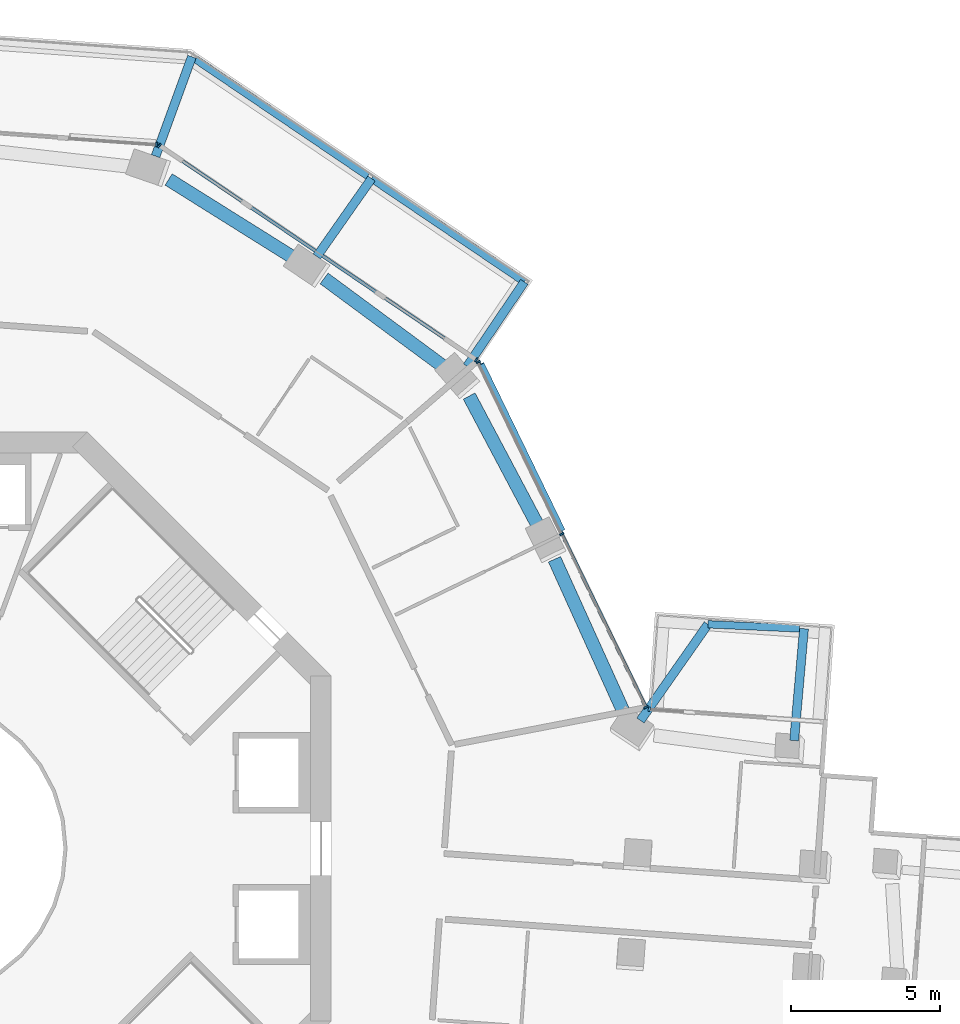
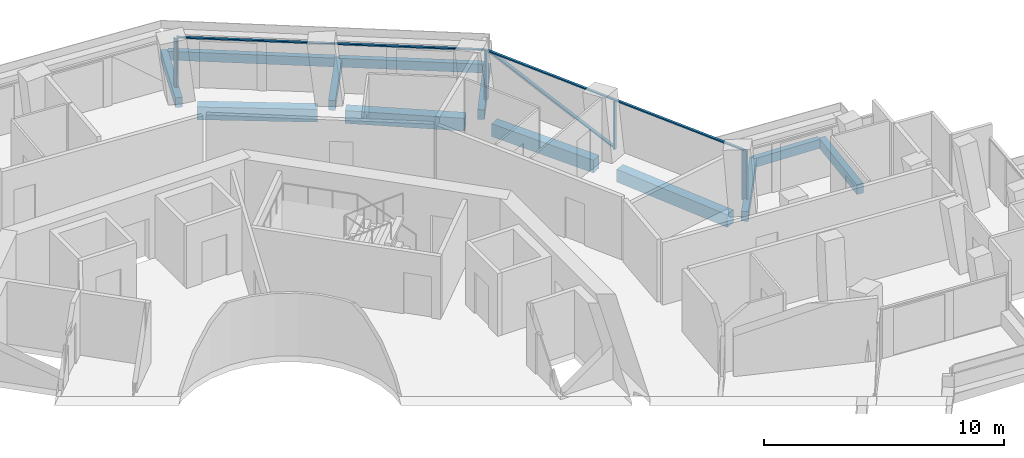
# One storey, part 8 of 22: 12 beams, 10 members, 4 elements without a shape of their own.
"""IFC4 building model written with IfcOpenShell, lengths in metres."""

from ifc_helpers import new_model, si_unit, direction, frame, origin, origin_2d, place, context, subcontext, project, spatial, rectangle, extrude, material, layer, layer_set, material_profile, profile_set, type_object, element, aggregate, save


model = new_model("IFC4")

# Units and contexts
model_context = context("Model", 3, precision=1e-05, world=origin(), true_north=direction((0.0, 1.0)))
body_context = subcontext(model_context, "Body", "Model", "MODEL_VIEW")
ifc_project = project(units=[si_unit("LENGTHUNIT", "METRE"), si_unit("AREAUNIT", "SQUARE_METRE"), si_unit("VOLUMEUNIT", "CUBIC_METRE"), si_unit("PLANEANGLEUNIT", "RADIAN"), si_unit("MASSUNIT", "GRAM", prefix="KILO")], contexts=[model_context])

# Site, building, storey
site_placement = place(None, origin())
site = spatial("IfcSite", under=ifc_project, at=site_placement, CompositionType="ELEMENT")
building_placement = place(site_placement, origin())
building = spatial("IfcBuilding", under=site, at=building_placement, Name="Verdalira Terraces Hotel", CompositionType="ELEMENT")
storey_placement = place(building_placement, frame((0.0, 0.0, 140.0)))
storey = spatial("IfcBuildingStorey", under=building, at=storey_placement, Name="L33", CompositionType="ELEMENT", Elevation=140.0)

# Beams
ifc_material_1 = material(Name="Concrete C40", Category="concrete")
ifc_material_profile_1 = material_profile(ifc_material_1, rectangle(XDim=0.300049, YDim=0.5, at=origin_2d()), Name="RC 300X500")
ifc_profile_set_1 = profile_set([ifc_material_profile_1], Name="Concrete C40")
beam_type_1 = type_object("IfcBeamType", Name="Balcony cantilever beam RC 300X500 C40", PredefinedType="BEAM", material=ifc_profile_set_1)
beam_1_placement = place(storey_placement, frame((29.558594, 3.63208, -0.560059), z_axis=(0.087835293, 0.996135012, 0.0), x_axis=(-0.996135012, 0.087835293, 0.0)))
element("IfcBeam", 1, at=beam_1_placement, inside=storey, type_object=beam_type_1, Name="Balcony cantilever beam R38-1", PredefinedType="BEAM", context=body_context, shape_type="SweptSolid", body=[
    extrude(rectangle(XDim=0.300049, YDim=0.5, at=origin_2d()), origin(), (0.0, 0.0, 1.0), 3.774658),
])
beam_2_placement = place(storey_placement, frame((24.392578, 4.305908, -0.560059), z_axis=(0.574171439, 0.818735097, 0.0), x_axis=(-0.818735097, 0.574171439, 0.0)))
element("IfcBeam", 2, at=beam_2_placement, inside=storey, type_object=beam_type_1, Name="Balcony cantilever beam R38-2", PredefinedType="BEAM", context=body_context, shape_type="SweptSolid", body=[
    extrude(rectangle(XDim=0.300049, YDim=0.5, at=origin_2d()), origin(), (0.0, 0.0, 1.0), 3.950195),
])
beam_3_placement = place(storey_placement, frame((18.566162, 16.206543, -0.560059), z_axis=(0.560335208, 0.828265933, 0.0), x_axis=(-0.828265933, 0.560335208, 0.0)))
element("IfcBeam", 3, at=beam_3_placement, inside=storey, type_object=beam_type_1, Name="Balcony cantilever beam R40-1", PredefinedType="BEAM", context=body_context, shape_type="SweptSolid", body=[
    extrude(rectangle(XDim=0.300049, YDim=0.5, at=origin_2d()), origin(), (0.0, 0.0, 1.0), 3.431641),
])
beam_4_placement = place(storey_placement, frame((13.516113, 19.902344, -0.560059), z_axis=(0.574189023, 0.818722765, 0.0), x_axis=(-0.818722765, 0.574189023, 0.0)))
element("IfcBeam", 4, at=beam_4_placement, inside=storey, type_object=beam_type_1, Name="Balcony cantilever beam R40-2", PredefinedType="BEAM", context=body_context, shape_type="SweptSolid", body=[
    extrude(rectangle(XDim=0.300049, YDim=0.5, at=origin_2d()), origin(), (0.0, 0.0, 1.0), 3.200928),
])
beam_5_placement = place(storey_placement, frame((8.096191, 23.274414, -0.560059), z_axis=(0.342729415, 0.939434164, 0.0), x_axis=(-0.939434164, 0.342729415, 0.0)))
element("IfcBeam", 5, at=beam_5_placement, inside=storey, type_object=beam_type_1, Name="Balcony cantilever beam R40-3", PredefinedType="BEAM", context=body_context, shape_type="SweptSolid", body=[
    extrude(rectangle(XDim=0.300049, YDim=0.5, at=origin_2d()), origin(), (0.0, 0.0, 1.0), 3.556641),
])
ifc_material_2 = material(Name="Concrete C40", Category="concrete")
ifc_material_profile_2 = material_profile(ifc_material_2, rectangle(XDim=0.25, YDim=0.449951, at=origin_2d()), Name="RC 250X450")
ifc_profile_set_2 = profile_set([ifc_material_profile_2], Name="Concrete C40")
beam_type_2 = type_object("IfcBeamType", Name="Balcony edge beam RC 250X450 C40", PredefinedType="BEAM", material=ifc_profile_set_2)
beam_6_placement = place(storey_placement, frame((29.73999, 7.398926, -0.534912), z_axis=(-0.998951652, 0.045777694, 0.0), x_axis=(-0.045777694, -0.998951652, 0.0)))
element("IfcBeam", 6, at=beam_6_placement, inside=storey, type_object=beam_type_2, Name="Balcony edge beam R38-1", PredefinedType="BEAM", context=body_context, shape_type="SweptSolid", body=[
    extrude(rectangle(XDim=0.25, YDim=0.449951, at=origin_2d()), origin(), (0.0, 0.0, 1.0), 3.08252),
])
beam_7_placement = place(storey_placement, frame((20.489014, 19.048828, -0.534912), z_axis=(-0.828250623, 0.560357836, 0.0), x_axis=(-0.560357836, -0.828250623, 0.0)))
element("IfcBeam", 7, at=beam_7_placement, inside=storey, type_object=beam_type_2, Name="Balcony edge beam R40-1", PredefinedType="BEAM", context=body_context, shape_type="SweptSolid", body=[
    extrude(rectangle(XDim=0.25, YDim=0.449951, at=origin_2d()), origin(), (0.0, 0.0, 1.0), 6.199707),
])
beam_8_placement = place(storey_placement, frame((15.229736, 22.607178, -0.534912), z_axis=(-0.827808292, 0.561011079, 0.0), x_axis=(-0.561011079, -0.827808292, 0.0)))
element("IfcBeam", 8, at=beam_8_placement, inside=storey, type_object=beam_type_2, Name="Balcony edge beam R40-2", PredefinedType="BEAM", context=body_context, shape_type="SweptSolid", body=[
    extrude(rectangle(XDim=0.25, YDim=0.449951, at=origin_2d()), origin(), (0.0, 0.0, 1.0), 6.990234),
])

# Curtain wall, members
ifc_material_3 = material(Name="Clear glass", Category="glass")
ifc_layer_1 = layer(ifc_material_3, 0.14990234375)
ifc_layer_set_1 = layer_set([ifc_layer_1], Name="CW1 curtain wall")
curtain_wall_type_1 = type_object("IfcCurtainWallType", Name="CW1 curtain wall", PredefinedType="NOTDEFINED", material=ifc_layer_set_1)
curtain_wall_1_placement = place(storey_placement, origin())
curtain_wall_1 = element("IfcCurtainWall", 9, at=curtain_wall_1_placement, inside=storey, type_object=curtain_wall_type_1, Name="CW1 curtain wall L33 edge 39", PredefinedType="NOTDEFINED")
ifc_material_4 = material(Name="Terracotta frame", Category="masonry")
ifc_material_profile_3 = material_profile(ifc_material_4, rectangle(XDim=0.060059, YDim=0.149902, at=origin_2d()), Name="MU 60x150")
ifc_profile_set_3 = profile_set([ifc_material_profile_3], Name="Terracotta frame")
member_type_1 = type_object("IfcMemberType", Name="CW1 mullion 60x150", PredefinedType="MULLION", material=ifc_profile_set_3)
member_1_placement = place(storey_placement, frame((24.578857, 4.751709, 0.0), z_axis=(0.0, 0.0, 1.0), x_axis=(-0.437115767, 0.899405252, 0.0)))
member_1 = element("IfcMember", 10, at=member_1_placement, type_object=member_type_1, Name="CW1 mullion", PredefinedType="MULLION", context=body_context, shape_type="SweptSolid", body=[
    extrude(rectangle(XDim=0.060059, YDim=0.149902, at=origin_2d()), origin(), (0.0, 0.0, 1.0), 2.475098),
])
member_2_placement = place(storey_placement, frame((21.750732, 10.570801, 0.0), z_axis=(0.0, 0.0, 1.0), x_axis=(-0.437115767, 0.899405252, 0.0)))
member_2 = element("IfcMember", 11, at=member_2_placement, type_object=member_type_1, Name="CW1 mullion", PredefinedType="MULLION", context=body_context, shape_type="SweptSolid", body=[
    extrude(rectangle(XDim=0.060059, YDim=0.149902, at=origin_2d()), origin(), (0.0, 0.0, 1.0), 2.475098),
])
member_3_placement = place(storey_placement, frame((18.939941, 16.354004, 0.0), z_axis=(0.0, 0.0, 1.0), x_axis=(-0.437115767, 0.899405252, 0.0)))
member_3 = element("IfcMember", 12, at=member_3_placement, type_object=member_type_1, Name="CW1 mullion", PredefinedType="MULLION", context=body_context, shape_type="SweptSolid", body=[
    extrude(rectangle(XDim=0.060059, YDim=0.149902, at=origin_2d()), origin(), (0.0, 0.0, 1.0), 2.475098),
])

curtain_wall_2_placement = place(storey_placement, origin())
curtain_wall_2 = element("IfcCurtainWall", 13, at=curtain_wall_2_placement, inside=storey, type_object=curtain_wall_type_1, Name="CW1 curtain wall L33 edge 40", PredefinedType="NOTDEFINED")
member_4_placement = place(storey_placement, frame((18.876709, 16.427002, 0.0), z_axis=(0.0, 0.0, 1.0), x_axis=(-0.828255984, 0.560349913, 0.0)))
member_4 = element("IfcMember", 14, at=member_4_placement, type_object=member_type_1, Name="CW1 mullion", PredefinedType="MULLION", context=body_context, shape_type="SweptSolid", body=[
    extrude(rectangle(XDim=0.060059, YDim=0.149902, at=origin_2d()), origin(), (0.0, 0.0, 1.0), 2.475098),
])
member_5_placement = place(storey_placement, frame((8.225586, 23.632812, 0.0), z_axis=(0.0, 0.0, 1.0), x_axis=(-0.828255984, 0.560349913, 0.0)))
member_5 = element("IfcMember", 15, at=member_5_placement, type_object=member_type_1, Name="CW1 mullion", PredefinedType="MULLION", context=body_context, shape_type="SweptSolid", body=[
    extrude(rectangle(XDim=0.060059, YDim=0.149902, at=origin_2d()), origin(), (0.0, 0.0, 1.0), 2.475098),
])

# Curtain wall, member
curtain_wall_3_placement = place(storey_placement, origin())
curtain_wall_3 = element("IfcCurtainWall", 16, at=curtain_wall_3_placement, inside=storey, type_object=curtain_wall_type_1, Name="CW1 curtain wall L33 edge 41", PredefinedType="NOTDEFINED")
member_6_placement = place(storey_placement, frame((8.134033, 23.664551, 0.0), z_axis=(0.0, 0.0, 1.0), x_axis=(-0.997465679, 0.071149267, 0.0)))
member_6 = element("IfcMember", 17, at=member_6_placement, type_object=member_type_1, Name="CW1 mullion", PredefinedType="MULLION", context=body_context, shape_type="SweptSolid", body=[
    extrude(rectangle(XDim=0.060059, YDim=0.149902, at=origin_2d()), origin(), (0.0, 0.0, 1.0), 2.475098),
])
aggregate(curtain_wall_3, [member_6])

# Member
ifc_material_5 = material(Name="Terracotta frame", Category="masonry")
ifc_material_profile_4 = material_profile(ifc_material_5, rectangle(XDim=0.110107, YDim=0.064941, at=origin_2d()), Name="TR 65x110")
ifc_profile_set_4 = profile_set([ifc_material_profile_4], Name="Terracotta frame")
member_type_2 = type_object("IfcMemberType", Name="CW1 transom 65x110", PredefinedType="USERDEFINED", material=ifc_profile_set_4)
member_7_placement = place(storey_placement, frame((24.591797, 4.724854, 2.507568), z_axis=(-0.437110379, 0.89940787, 0.0), x_axis=(-0.89940787, -0.437110379, 0.0)))
member_7 = element("IfcMember", 18, at=member_7_placement, type_object=member_type_2, Name="CW1 transom", ObjectType="TRANSOM", PredefinedType="USERDEFINED", context=body_context, shape_type="SweptSolid", body=[
    extrude(rectangle(XDim=0.110107, YDim=0.064941, at=origin_2d()), origin(), (0.0, 0.0, 1.0), 12.959717),
])

member_8_placement = place(storey_placement, frame((18.901611, 16.410156, 2.507568), z_axis=(-0.828260456, 0.560343303, 0.0), x_axis=(-0.560343303, -0.828260456, 0.0)))
member_8 = element("IfcMember", 19, at=member_8_placement, type_object=member_type_2, Name="CW1 transom", ObjectType="TRANSOM", PredefinedType="USERDEFINED", context=body_context, shape_type="SweptSolid", body=[
    extrude(rectangle(XDim=0.110107, YDim=0.064941, at=origin_2d()), origin(), (0.0, 0.0, 1.0), 12.919678),
])

aggregate(curtain_wall_2, [member_4, member_5, member_8])

# Curtain wall, member
ifc_material_6 = material(Name="Clear glass", Category="glass")
ifc_layer_2 = layer(ifc_material_6, 0.14990234375)
ifc_layer_set_2 = layer_set([ifc_layer_2], Name="CW2 curtain wall")
curtain_wall_type_2 = type_object("IfcCurtainWallType", Name="CW2 curtain wall", PredefinedType="NOTDEFINED", material=ifc_layer_set_2)
curtain_wall_4_placement = place(storey_placement, origin())
curtain_wall_4 = element("IfcCurtainWall", 20, at=curtain_wall_4_placement, inside=storey, type_object=curtain_wall_type_2, Name="CW2 curtain wall L33 edge 38", PredefinedType="NOTDEFINED")
ifc_material_7 = material(Name="Terracotta frame", Category="masonry")
ifc_material_profile_5 = material_profile(ifc_material_7, rectangle(XDim=0.070068, YDim=0.149902, at=origin_2d()), Name="MU 70x150")
ifc_profile_set_5 = profile_set([ifc_material_profile_5], Name="Terracotta frame")
member_type_3 = type_object("IfcMemberType", Name="CW2 mullion 70x150", PredefinedType="MULLION", material=ifc_profile_set_5)
member_9_placement = place(storey_placement, frame((24.688965, 4.680176, 0.0), z_axis=(0.0, 0.0, 1.0), x_axis=(-0.997465679, 0.071149267, 0.0)))
member_9 = element("IfcMember", 21, at=member_9_placement, type_object=member_type_3, Name="CW2 mullion", PredefinedType="MULLION", context=body_context, shape_type="SweptSolid", body=[
    extrude(rectangle(XDim=0.070068, YDim=0.149902, at=origin_2d()), origin(), (0.0, 0.0, 1.0), 2.475098),
])
aggregate(curtain_wall_4, [member_9])

# Member
ifc_material_8 = material(Name="Terracotta frame", Category="masonry")
ifc_material_profile_6 = material_profile(ifc_material_8, rectangle(XDim=0.149902, YDim=0.060059, at=origin_2d()), Name="GB 60x150")
ifc_profile_set_6 = profile_set([ifc_material_profile_6], Name="Terracotta frame")
member_type_4 = type_object("IfcMemberType", Name="Diagonal glazing bar 60x150", PredefinedType="USERDEFINED", material=ifc_profile_set_6)
member_10_placement = place(storey_placement, frame((21.785156, 10.703125, 0.028809), z_axis=(-0.407436607, 0.838353851, 0.362157745), x_axis=(-0.899408563, -0.437108952, 0.0)))
member_10 = element("IfcMember", 22, at=member_10_placement, type_object=member_type_4, Name="Diagonal glazing bar", ObjectType="GLAZING BAR", PredefinedType="USERDEFINED", context=body_context, shape_type="SweptSolid", body=[
    extrude(rectangle(XDim=0.149902, YDim=0.060059, at=origin_2d()), origin(), (0.0, 0.0, 1.0), 6.675293),
])

aggregate(curtain_wall_1, [member_1, member_2, member_3, member_7, member_10])

# Beams
ifc_material_9 = material(Name="Concrete C50", Category="concrete")
ifc_material_profile_7 = material_profile(ifc_material_9, rectangle(XDim=0.449951, YDim=0.649902, at=origin_2d()), Name="RC 450X650")
ifc_profile_set_7 = profile_set([ifc_material_profile_7], Name="Concrete C50")
beam_type_3 = type_object("IfcBeamType", Name="Spandrel beam RC 450X650 C50", PredefinedType="SPANDREL", material=ifc_profile_set_7)
beam_9_placement = place(storey_placement, frame((23.841797, 4.55957, -0.63501), z_axis=(-0.412303995, 0.91104633, 0.0), x_axis=(-0.91104633, -0.412303995, 0.0)))
element("IfcBeam", 23, at=beam_9_placement, inside=storey, type_object=beam_type_3, Name="Spandrel beam B18", PredefinedType="SPANDREL", context=body_context, shape_type="SweptSolid", body=[
    extrude(rectangle(XDim=0.449951, YDim=0.649902, at=origin_2d()), origin(), (0.0, 0.0, 1.0), 5.671387),
])
beam_10_placement = place(storey_placement, frame((20.984375, 10.782715, -0.63501), z_axis=(-0.468574631, 0.883423916, 0.0), x_axis=(-0.883423916, -0.468574631, 0.0)))
element("IfcBeam", 24, at=beam_10_placement, inside=storey, type_object=beam_type_3, Name="Spandrel beam B19", PredefinedType="SPANDREL", context=body_context, shape_type="SweptSolid", body=[
    extrude(rectangle(XDim=0.449951, YDim=0.649902, at=origin_2d()), origin(), (0.0, 0.0, 1.0), 5.012207),
])
beam_11_placement = place(storey_placement, frame((17.793701, 16.185303, -0.63501), z_axis=(-0.804411794, 0.594072105, 0.0), x_axis=(-0.594072105, -0.804411794, 0.0)))
element("IfcBeam", 25, at=beam_11_placement, inside=storey, type_object=beam_type_3, Name="Spandrel beam B20", PredefinedType="SPANDREL", context=body_context, shape_type="SweptSolid", body=[
    extrude(rectangle(XDim=0.449951, YDim=0.649902, at=origin_2d()), origin(), (0.0, 0.0, 1.0), 5.015381),
])
beam_12_placement = place(storey_placement, frame((12.781494, 19.830078, -0.63501), z_axis=(-0.847480714, 0.530826186, 0.0), x_axis=(-0.530826186, -0.847480714, 0.0)))
element("IfcBeam", 26, at=beam_12_placement, inside=storey, type_object=beam_type_3, Name="Spandrel beam B21", PredefinedType="SPANDREL", context=body_context, shape_type="SweptSolid", body=[
    extrude(rectangle(XDim=0.449951, YDim=0.649902, at=origin_2d()), origin(), (0.0, 0.0, 1.0), 5.012207),
])

save(model, "model.ifc")
